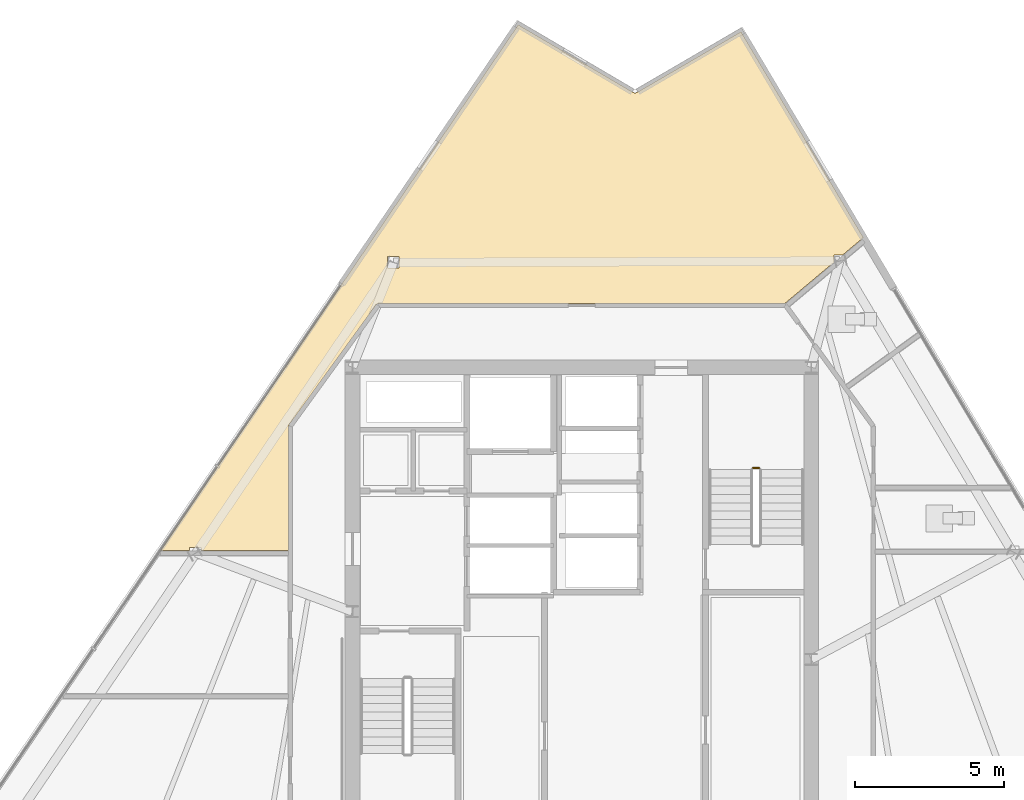
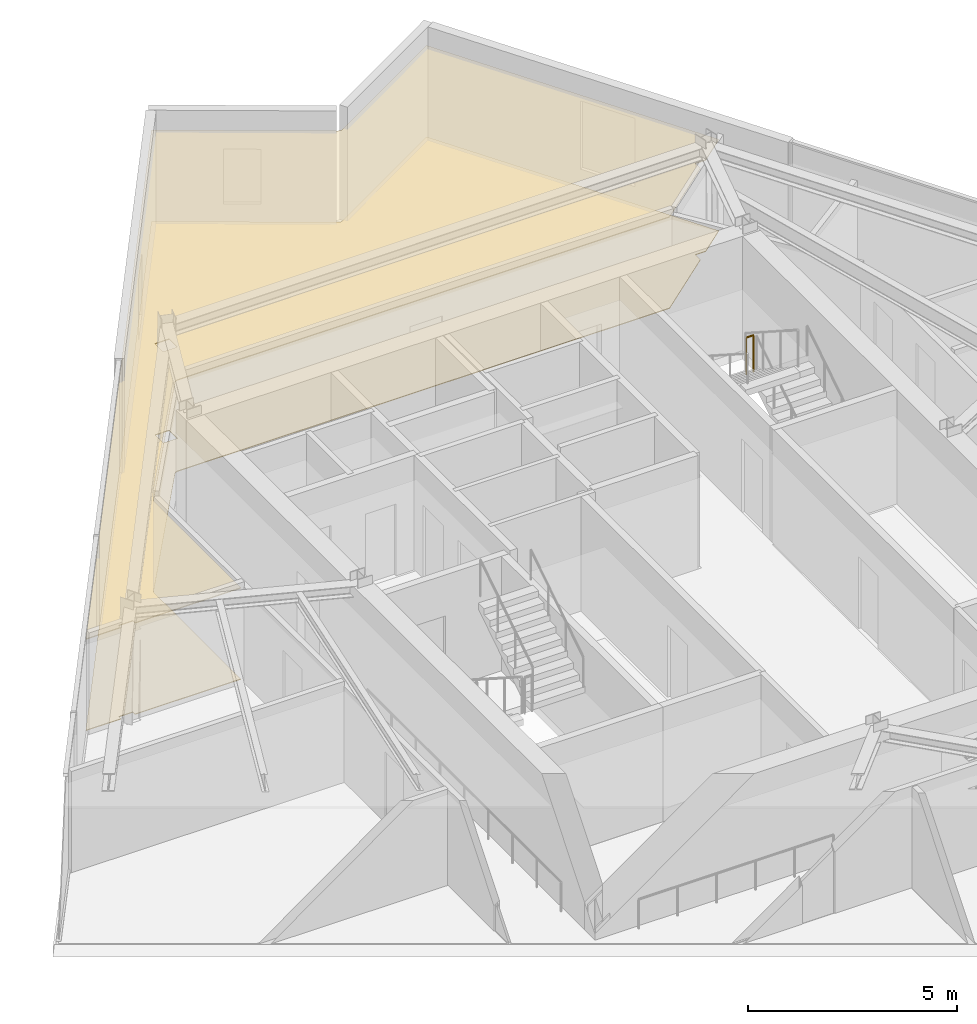
# One storey, part 12 of 14: 2 coverings, 1 railing.
"""IFC4 building model written with IfcOpenShell, lengths in metres."""

import ifcopenshell
import ifcopenshell.guid

model = None  # the IFC model being written
_history = None  # IfcOwnerHistory: only IFC2X3 demands one
_inside = {}  # id of a spatial element -> (the spatial element, [elements in it])
_under = {}  # id of a project, library or spatial element -> (it, [spatial elements below it])
_declared = {}  # id of a project -> (the project, [libraries it declares])
_typed = {}  # id of a type object -> (the type object, [elements of that type])
_made_of = {}  # id of a material, layer set ... -> (it, [elements and type objects made of it])


def new_model(schema):
    """Start an empty IFC model of exactly this schema.

    Asked for "IFC4X3", IfcOpenShell would pick the latest addendum, in which some entities
    have other attributes; the version numbers below select the first issue.
    IFC2X3 requires an IfcOwnerHistory on every rooted entity: one is made here for all.
    """
    global model, _history
    if schema == "IFC4X3":
        model = ifcopenshell.file(schema_version=(4, 3, 0, 0))
    else:
        model = ifcopenshell.file(schema=schema)
    _inside.clear()
    _under.clear()
    _declared.clear()
    _typed.clear()
    _made_of.clear()
    _history = None
    if model.schema == "IFC2X3":
        org = make("IfcOrganization", Name="unknown")
        user = make(
            "IfcPersonAndOrganization",
            ThePerson=make("IfcPerson", FamilyName="unknown"),
            TheOrganization=org,
        )
        app = make(
            "IfcApplication",
            ApplicationDeveloper=org,
            Version="unknown",
            ApplicationFullName="unknown",
            ApplicationIdentifier="unknown",
        )
        _history = make(
            "IfcOwnerHistory",
            OwningUser=user,
            OwningApplication=app,
            ChangeAction="ADDED",
            CreationDate=0,
        )
    return model


def make(cls, **values):
    """One entity of the class cls with the attributes given. An attribute that is None is left unset."""
    return model.create_entity(
        cls, **{name: value for name, value in values.items() if value is not None}
    )


def rooted(cls, **values):
    """An entity with a GlobalId (a new one), such as an element, a storey or a relation."""
    return make(cls, GlobalId=ifcopenshell.guid.new(), OwnerHistory=_history, **values)


def si_unit(unit_type, name, prefix=None):
    """IfcSIUnit, for example si_unit("LENGTHUNIT", "METRE", prefix="MILLI")."""
    return make("IfcSIUnit", UnitType=unit_type, Prefix=prefix, Name=name)


def assignment(units):
    """IfcUnitAssignment: the units of a project."""
    return None if units is None else make("IfcUnitAssignment", Units=units)


def point(xyz):
    """IfcCartesianPoint."""
    return None if xyz is None else make("IfcCartesianPoint", Coordinates=xyz)


def direction(xyz):
    """IfcDirection."""
    return None if xyz is None else make("IfcDirection", DirectionRatios=xyz)


def frame(location, z_axis=None, x_axis=None):
    """IfcAxis2Placement3D, a coordinate frame: its origin and axes. An axis left out is left unset."""
    return make(
        "IfcAxis2Placement3D",
        Location=point(location),
        Axis=direction(z_axis),
        RefDirection=direction(x_axis),
    )


def frame_2d(location, x_axis=None):
    """IfcAxis2Placement2D, a coordinate frame in the plane: its origin and x axis."""
    return make(
        "IfcAxis2Placement2D", Location=point(location), RefDirection=direction(x_axis)
    )


def origin():
    """The frame at (0, 0, 0) with its axes left unset."""
    return frame((0.0, 0.0, 0.0))


def origin_2d():
    """The frame at (0, 0) in the plane with its x axis left unset."""
    return frame_2d((0.0, 0.0))


def place(relative_to, where):
    """IfcLocalPlacement: puts the frame where relative to a parent placement (None: the world)."""
    return make(
        "IfcLocalPlacement", PlacementRelTo=relative_to, RelativePlacement=where
    )


def context(
    kind, dimensions, precision=None, world=None, true_north=None, identifier=None
):
    """IfcGeometricRepresentationContext, for example the 3D "Model" context."""
    return make(
        "IfcGeometricRepresentationContext",
        ContextIdentifier=identifier,
        ContextType=kind,
        CoordinateSpaceDimension=dimensions,
        Precision=precision,
        WorldCoordinateSystem=world,
        TrueNorth=true_north,
    )


def subcontext(parent, identifier, kind, view, scale=None):
    """IfcGeometricRepresentationSubContext, for example "Body" below "Model"."""
    return make(
        "IfcGeometricRepresentationSubContext",
        ContextIdentifier=identifier,
        ContextType=kind,
        ParentContext=parent,
        TargetScale=scale,
        TargetView=view,
    )


def project(units=None, contexts=None):
    """IfcProject with its units and contexts."""
    return rooted(
        "IfcProject",
        Name="project",
        RepresentationContexts=contexts,
        UnitsInContext=assignment(units),
    )


def spatial(cls, under=None, at=None, **own):
    """A site, building, storey or space (cls), placed at a placement, below another one or the project."""
    s = rooted(cls, ObjectPlacement=at, **own)
    if under is not None:
        _under.setdefault(under.id(), (under, []))[1].append(s)
    return s


def polyline(points):
    """IfcPolyline through the points."""
    return make("IfcPolyline", Points=[point(p) for p in points])


def profile(cls, at=None, kind="AREA", **sizes):
    """A parametric profile (cls). Its sizes go by their IFC names, for example OverallWidth=200.0."""
    return make(cls, ProfileType=kind, Position=at, **sizes)


def circle(**sizes):
    """IfcCircleProfileDef."""
    return profile("IfcCircleProfileDef", **sizes)


def outline(outer, holes=None, kind="AREA"):
    """IfcArbitraryClosedProfileDef: a profile drawn as a closed curve; with holes, ...WithVoids."""
    if holes is None:
        return make("IfcArbitraryClosedProfileDef", ProfileType=kind, OuterCurve=outer)
    return make(
        "IfcArbitraryProfileDefWithVoids",
        ProfileType=kind,
        OuterCurve=outer,
        InnerCurves=holes,
    )


def extrude(swept, where, along, depth):
    """IfcExtrudedAreaSolid: the profile swept, set in the frame where, extruded along a direction by depth."""
    return make(
        "IfcExtrudedAreaSolid",
        SweptArea=swept,
        Position=where,
        ExtrudedDirection=direction(along),
        Depth=depth,
    )


def shape(context_of_items, identifier, shape_type, items):
    """IfcShapeRepresentation: the items that make up one representation, for example the "Body"."""
    return make(
        "IfcShapeRepresentation",
        ContextOfItems=context_of_items,
        RepresentationIdentifier=identifier,
        RepresentationType=shape_type,
        Items=items,
    )


def material(Name=None, Category=None):
    """IfcMaterial."""
    return make("IfcMaterial", Name=Name, Category=Category)


def layer(
    of_material, thickness, ventilated=None, Name=None, Category=None, Priority=None
):
    """IfcMaterialLayer: one layer of a wall or slab, of a material (None: an air gap)."""
    return make(
        "IfcMaterialLayer",
        Material=of_material,
        LayerThickness=thickness,
        IsVentilated=ventilated,
        Name=Name,
        Category=Category,
        Priority=Priority,
    )


def layer_set(layers, Name=None):
    """IfcMaterialLayerSet."""
    return make("IfcMaterialLayerSet", MaterialLayers=layers, LayerSetName=Name)


def made_of(thing, what):
    """Note that an element or type object is made of a material, layer set ...; save() writes the relation."""
    if what is not None:
        _made_of.setdefault(what.id(), (what, []))[1].append(thing)
    return thing


def type_object(cls, material=None, **own):
    """A type object (cls), such as IfcWallType, which elements share."""
    return made_of(rooted(cls, **own), material)


def element(
    cls,
    number,
    at=None,
    inside=None,
    cuts=None,
    type_object=None,
    material=None,
    context=None,
    identifier="Body",
    shape_type=None,
    held_by="IfcProductDefinitionShape",
    body=None,
    shapes=None,
    **own,
):
    """One element of the class cls, such as IfcWall. Its Tag is "e" and its number.

    at: its placement. inside: the storey or other place that contains it. cuts: it is an
    opening in that element (IfcRelVoidsElement). A single representation is given by context,
    identifier, shape_type and body (its items); several are given by shapes. held_by: the class
    of the entity that holds the representations. save() writes the other relations.
    """
    e = rooted(cls, Tag="e%d" % number, ObjectPlacement=at, **own)
    if body is not None:
        shapes = [shape(context, identifier, shape_type, body)]
    if shapes is not None:
        e.Representation = make(held_by, Representations=shapes)
    if inside is not None:
        _inside.setdefault(inside.id(), (inside, []))[1].append(e)
    if cuts is not None:
        rooted(
            "IfcRelVoidsElement", RelatingBuildingElement=cuts, RelatedOpeningElement=e
        )
    if type_object is not None:
        _typed.setdefault(type_object.id(), (type_object, []))[1].append(e)
    return made_of(e, material)


def aggregate(whole, parts):
    """IfcRelAggregates: a whole, such as a stair, and the parts it consists of."""
    return rooted("IfcRelAggregates", RelatingObject=whole, RelatedObjects=parts)


def save(model, path):
    """Write the relations noted so far, then the file.

    IfcRelAggregates (storeys below a building ...), IfcRelContainedInSpatialStructure (elements
    in a storey), IfcRelDefinesByType, IfcRelAssociatesMaterial and IfcRelDeclares: one each for
    every whole, place, type object, material and project.
    """
    for whole, parts in _under.values():
        aggregate(whole, parts)
    for where, things in _inside.values():
        rooted(
            "IfcRelContainedInSpatialStructure",
            RelatedElements=things,
            RelatingStructure=where,
        )
    for kind, things in _typed.values():
        rooted("IfcRelDefinesByType", RelatedObjects=things, RelatingType=kind)
    for what, things in _made_of.values():
        rooted("IfcRelAssociatesMaterial", RelatedObjects=things, RelatingMaterial=what)
    for by, libraries in _declared.values():
        rooted("IfcRelDeclares", RelatingContext=by, RelatedDefinitions=libraries)
    model.write(path)


model = new_model("IFC4")

# Units and contexts
model_context = context("Model", 3, precision=1e-05, world=origin(), true_north=direction((0.0, 1.0)))
body_context = subcontext(model_context, "Body", "Model", "MODEL_VIEW")
ifc_project = project(units=[si_unit("LENGTHUNIT", "METRE"), si_unit("AREAUNIT", "SQUARE_METRE"), si_unit("VOLUMEUNIT", "CUBIC_METRE"), si_unit("PLANEANGLEUNIT", "RADIAN"), si_unit("MASSUNIT", "GRAM", prefix="KILO")], contexts=[model_context])

# Site, building, storey
site_placement = place(None, origin())
site = spatial("IfcSite", under=ifc_project, at=site_placement, CompositionType="ELEMENT")
building_placement = place(site_placement, origin())
building = spatial("IfcBuilding", under=site, at=building_placement, Name="Savorim Split Tower", CompositionType="ELEMENT")
storey_placement = place(building_placement, frame((0.0, 0.0, 219.89990234375)))
storey = spatial("IfcBuildingStorey", under=building, at=storey_placement, Name="L58", CompositionType="ELEMENT", Elevation=219.89990234375)

# Coverings
ifc_material_1 = material(Name="Mineral Fibre Acoustic Ceiling")
ifc_layer_1 = layer(ifc_material_1, 0.02490234375)
ifc_layer_set_1 = layer_set([ifc_layer_1], Name="COV-CEIL-25")
covering_type_1 = type_object("IfcCoveringType", Name="COV-CEIL-25", PredefinedType="CEILING", material=ifc_layer_set_1)
covering_1_placement = place(storey_placement, frame((0.0, 0.0, 2.670166015625)))
element("IfcCovering", 1, at=covering_1_placement, inside=storey, type_object=covering_type_1, Name="L58 Co-Working Commons Acoustic Ceiling", PredefinedType="CEILING", context=body_context, shape_type="SweptSolid", body=[
    extrude(outline(polyline([(1.748779296875, 19.415283203125), (1.73828125, 19.419921875), (1.72802734375, 19.425048828125), (-2.13427734375, 21.695068359375), (-14.136474609375, 4.052001953125), (-13.167236328125, 4.052001953125), (-13.167236328125, 4.153076171875), (-12.773193359375, 4.153076171875), (-12.773193359375, 4.052001953125), (-9.840087890625, 4.052001953125), (-9.840087890625, 8.199951171875), (-9.839111328125, 8.214599609375), (-9.8369140625, 8.22900390625), (-9.833251953125, 8.2431640625), (-9.827880859375, 8.2568359375), (-9.8212890625, 8.27001953125), (-9.813232421875, 8.2822265625), (-6.913330078125, 12.2822265625), (-6.905029296875, 12.29248046875), (-6.89599609375, 12.302001953125), (-6.885986328125, 12.310546875), (-6.875, 12.318115234375), (-6.863525390625, 12.32470703125), (-6.8515625, 12.330078125), (-6.839111328125, 12.33447265625), (-6.826416015625, 12.33740234375), (-6.813232421875, 12.33935546875), (-6.800048828125, 12.340087890625), (6.800048828125, 12.340087890625), (6.81298828125, 12.33935546875), (8.4697265625, 13.728515625), (8.4697265625, 13.9658203125), (8.752685546875, 13.9658203125), (9.401611328125, 14.509765625), (9.452392578125, 14.55224609375), (5.343994140625, 21.461669921875), (1.84912109375, 19.4248046875), (1.839111328125, 19.419677734375), (1.828369140625, 19.415283203125), (1.817138671875, 19.412109375), (1.805908203125, 19.409912109375), (1.79443359375, 19.40869140625), (1.78271484375, 19.40869140625), (1.771240234375, 19.409912109375), (1.760009765625, 19.412109375), (1.748779296875, 19.415283203125)]), holes=[polyline([(-6.131103515625, 13.9169921875), (-6.525146484375, 13.9169921875), (-6.525146484375, 13.52490234375), (-6.131103515625, 13.52490234375), (-6.131103515625, 13.9169921875)])]), origin(), (0.0, 0.0, 1.0), 0.02490234375),
])
ifc_material_2 = material(Name="Porcelain Stoneware Flooring", Category="masonry")
ifc_layer_2 = layer(ifc_material_2, 0.02001953125)
ifc_layer_set_2 = layer_set([ifc_layer_2], Name="COV-FLOR-20")
covering_type_2 = type_object("IfcCoveringType", Name="COV-FLOR-20", PredefinedType="FLOORING", material=ifc_layer_set_2)
covering_2_placement = place(storey_placement, origin())
element("IfcCovering", 2, at=covering_2_placement, inside=storey, type_object=covering_type_2, Name="L58 Co-Working Commons Porcelain Flooring", PredefinedType="FLOORING", context=body_context, shape_type="SweptSolid", body=[
    extrude(outline(polyline([(1.748779296875, 19.415283203125), (1.73828125, 19.419921875), (1.72802734375, 19.425048828125), (-2.13427734375, 21.695068359375), (-14.136474609375, 4.052001953125), (-13.167236328125, 4.052001953125), (-13.167236328125, 4.153076171875), (-12.773193359375, 4.153076171875), (-12.773193359375, 4.052001953125), (-9.840087890625, 4.052001953125), (-9.840087890625, 8.199951171875), (-9.839111328125, 8.214599609375), (-9.8369140625, 8.22900390625), (-9.833251953125, 8.2431640625), (-9.827880859375, 8.2568359375), (-9.8212890625, 8.27001953125), (-9.813232421875, 8.2822265625), (-6.913330078125, 12.2822265625), (-6.905029296875, 12.29248046875), (-6.89599609375, 12.302001953125), (-6.885986328125, 12.310546875), (-6.875, 12.318115234375), (-6.863525390625, 12.32470703125), (-6.8515625, 12.330078125), (-6.839111328125, 12.33447265625), (-6.826416015625, 12.33740234375), (-6.813232421875, 12.33935546875), (-6.800048828125, 12.340087890625), (6.800048828125, 12.340087890625), (6.81298828125, 12.33935546875), (8.4697265625, 13.728515625), (8.4697265625, 13.9658203125), (8.752685546875, 13.9658203125), (9.401611328125, 14.509765625), (9.452392578125, 14.55224609375), (5.343994140625, 21.461669921875), (1.84912109375, 19.4248046875), (1.839111328125, 19.419677734375), (1.828369140625, 19.415283203125), (1.817138671875, 19.412109375), (1.805908203125, 19.409912109375), (1.79443359375, 19.40869140625), (1.78271484375, 19.40869140625), (1.771240234375, 19.409912109375), (1.760009765625, 19.412109375), (1.748779296875, 19.415283203125)]), holes=[polyline([(-6.131103515625, 13.9169921875), (-6.525146484375, 13.9169921875), (-6.525146484375, 13.52490234375), (-6.131103515625, 13.52490234375), (-6.131103515625, 13.9169921875)])]), origin(), (0.0, 0.0, 1.0), 0.02001953125),
])

# Railing
ifc_material_3 = material(Name="Galvanised Painted Steel Balustrade", Category="steel")
railing_type = type_object("IfcRailingType", Name="RLG-STG-1100", PredefinedType="BALUSTRADE", material=ifc_material_3)
railing_placement = place(storey_placement, frame((5.949951171875, 6.820068359375, 1.800048828125)))
element("IfcRailing", 3, at=railing_placement, inside=storey, type_object=railing_type, Name="L58 ST-2 stair guard 2", PredefinedType="BALUSTRADE", context=body_context, shape_type="SweptSolid", body=[
    extrude(circle(Radius=0.02392578125, at=origin_2d()), frame((0.0, 0.0, 1.076171875), z_axis=(-1.0, 0.0, 0.0), x_axis=(0.0, -1.0, 0.0)), (0.0, 0.0, 1.0), 0.199951171875),
    extrude(circle(Radius=0.02099609375, at=origin_2d()), origin(), (0.0, 0.0, 1.0), 1.052001953125),
    extrude(circle(Radius=0.02099609375, at=origin_2d()), frame((-0.199951171875, 0.0, 0.0)), (0.0, 0.0, 1.0), 1.052001953125),
])

save(model, "model.ifc")
